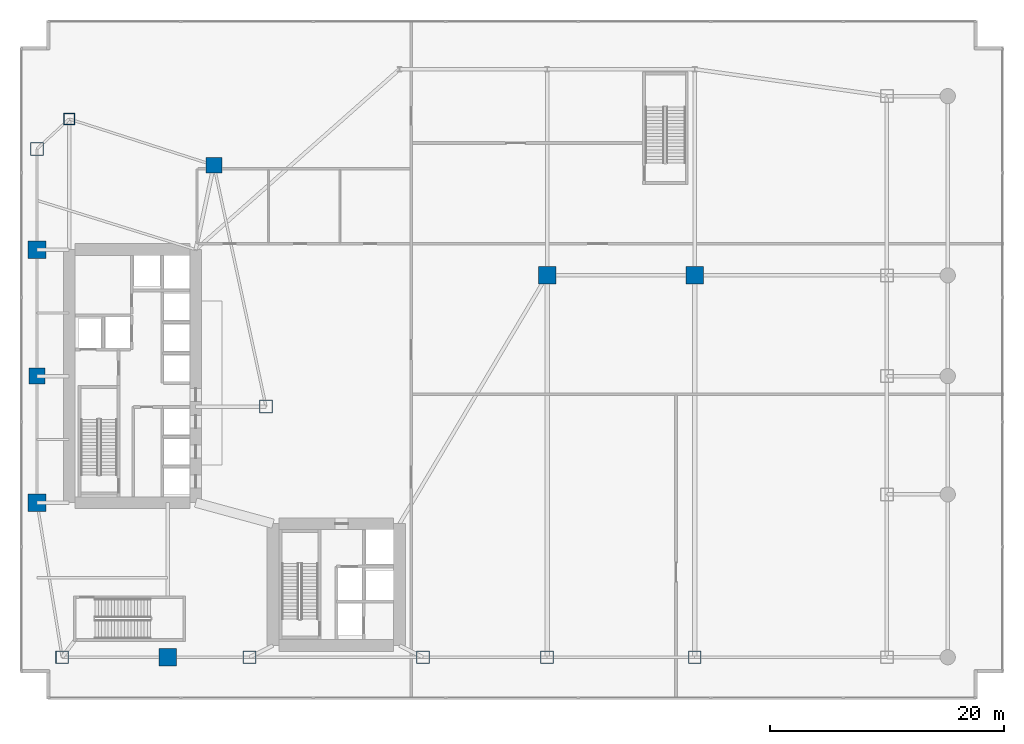
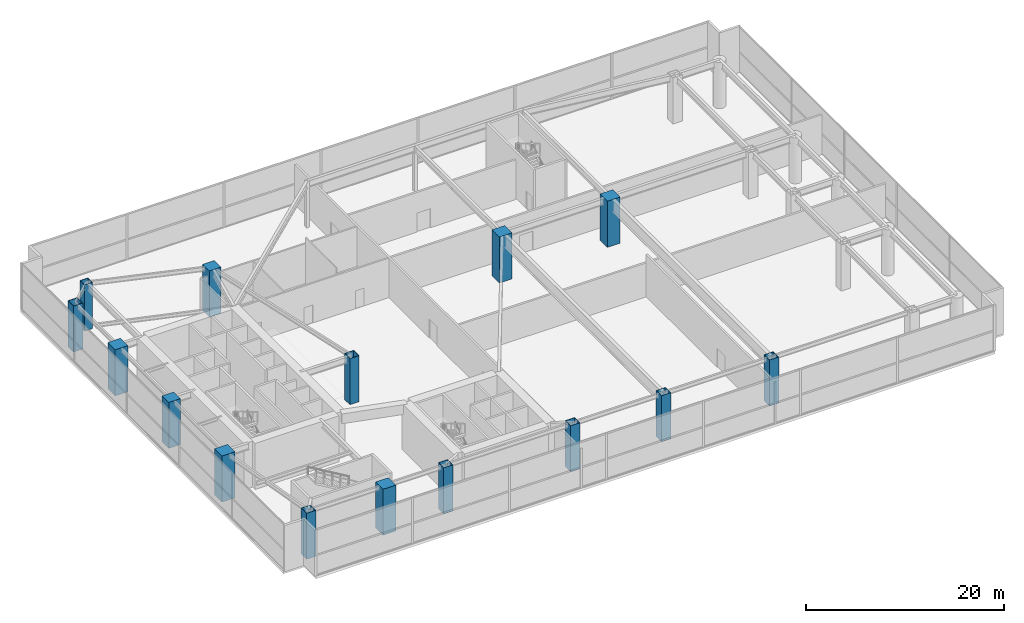
# One storey, part 1 of 35: 15 columns.
"""IFC4 building model written with IfcOpenShell, lengths in metres."""

import ifcopenshell
import ifcopenshell.guid

model = None  # the IFC model being written
_history = None  # IfcOwnerHistory: only IFC2X3 demands one
_inside = {}  # id of a spatial element -> (the spatial element, [elements in it])
_under = {}  # id of a project, library or spatial element -> (it, [spatial elements below it])
_declared = {}  # id of a project -> (the project, [libraries it declares])
_typed = {}  # id of a type object -> (the type object, [elements of that type])
_made_of = {}  # id of a material, layer set ... -> (it, [elements and type objects made of it])


def new_model(schema):
    """Start an empty IFC model of exactly this schema.

    Asked for "IFC4X3", IfcOpenShell would pick the latest addendum, in which some entities
    have other attributes; the version numbers below select the first issue.
    IFC2X3 requires an IfcOwnerHistory on every rooted entity: one is made here for all.
    """
    global model, _history
    if schema == "IFC4X3":
        model = ifcopenshell.file(schema_version=(4, 3, 0, 0))
    else:
        model = ifcopenshell.file(schema=schema)
    _inside.clear()
    _under.clear()
    _declared.clear()
    _typed.clear()
    _made_of.clear()
    _history = None
    if model.schema == "IFC2X3":
        org = make("IfcOrganization", Name="unknown")
        user = make(
            "IfcPersonAndOrganization",
            ThePerson=make("IfcPerson", FamilyName="unknown"),
            TheOrganization=org,
        )
        app = make(
            "IfcApplication",
            ApplicationDeveloper=org,
            Version="unknown",
            ApplicationFullName="unknown",
            ApplicationIdentifier="unknown",
        )
        _history = make(
            "IfcOwnerHistory",
            OwningUser=user,
            OwningApplication=app,
            ChangeAction="ADDED",
            CreationDate=0,
        )
    return model


def make(cls, **values):
    """One entity of the class cls with the attributes given. An attribute that is None is left unset."""
    return model.create_entity(
        cls, **{name: value for name, value in values.items() if value is not None}
    )


def rooted(cls, **values):
    """An entity with a GlobalId (a new one), such as an element, a storey or a relation."""
    return make(cls, GlobalId=ifcopenshell.guid.new(), OwnerHistory=_history, **values)


def si_unit(unit_type, name, prefix=None):
    """IfcSIUnit, for example si_unit("LENGTHUNIT", "METRE", prefix="MILLI")."""
    return make("IfcSIUnit", UnitType=unit_type, Prefix=prefix, Name=name)


def assignment(units):
    """IfcUnitAssignment: the units of a project."""
    return None if units is None else make("IfcUnitAssignment", Units=units)


def point(xyz):
    """IfcCartesianPoint."""
    return None if xyz is None else make("IfcCartesianPoint", Coordinates=xyz)


def direction(xyz):
    """IfcDirection."""
    return None if xyz is None else make("IfcDirection", DirectionRatios=xyz)


def frame(location, z_axis=None, x_axis=None):
    """IfcAxis2Placement3D, a coordinate frame: its origin and axes. An axis left out is left unset."""
    return make(
        "IfcAxis2Placement3D",
        Location=point(location),
        Axis=direction(z_axis),
        RefDirection=direction(x_axis),
    )


def frame_2d(location, x_axis=None):
    """IfcAxis2Placement2D, a coordinate frame in the plane: its origin and x axis."""
    return make(
        "IfcAxis2Placement2D", Location=point(location), RefDirection=direction(x_axis)
    )


def origin():
    """The frame at (0, 0, 0) with its axes left unset."""
    return frame((0.0, 0.0, 0.0))


def origin_2d():
    """The frame at (0, 0) in the plane with its x axis left unset."""
    return frame_2d((0.0, 0.0))


def place(relative_to, where):
    """IfcLocalPlacement: puts the frame where relative to a parent placement (None: the world)."""
    return make(
        "IfcLocalPlacement", PlacementRelTo=relative_to, RelativePlacement=where
    )


def context(
    kind, dimensions, precision=None, world=None, true_north=None, identifier=None
):
    """IfcGeometricRepresentationContext, for example the 3D "Model" context."""
    return make(
        "IfcGeometricRepresentationContext",
        ContextIdentifier=identifier,
        ContextType=kind,
        CoordinateSpaceDimension=dimensions,
        Precision=precision,
        WorldCoordinateSystem=world,
        TrueNorth=true_north,
    )


def subcontext(parent, identifier, kind, view, scale=None):
    """IfcGeometricRepresentationSubContext, for example "Body" below "Model"."""
    return make(
        "IfcGeometricRepresentationSubContext",
        ContextIdentifier=identifier,
        ContextType=kind,
        ParentContext=parent,
        TargetScale=scale,
        TargetView=view,
    )


def project(units=None, contexts=None):
    """IfcProject with its units and contexts."""
    return rooted(
        "IfcProject",
        Name="project",
        RepresentationContexts=contexts,
        UnitsInContext=assignment(units),
    )


def spatial(cls, under=None, at=None, **own):
    """A site, building, storey or space (cls), placed at a placement, below another one or the project."""
    s = rooted(cls, ObjectPlacement=at, **own)
    if under is not None:
        _under.setdefault(under.id(), (under, []))[1].append(s)
    return s


def profile(cls, at=None, kind="AREA", **sizes):
    """A parametric profile (cls). Its sizes go by their IFC names, for example OverallWidth=200.0."""
    return make(cls, ProfileType=kind, Position=at, **sizes)


def rectangle(**sizes):
    """IfcRectangleProfileDef."""
    return profile("IfcRectangleProfileDef", **sizes)


def hollow_rectangle(**sizes):
    """IfcRectangleHollowProfileDef."""
    return profile("IfcRectangleHollowProfileDef", **sizes)


def extrude(swept, where, along, depth):
    """IfcExtrudedAreaSolid: the profile swept, set in the frame where, extruded along a direction by depth."""
    return make(
        "IfcExtrudedAreaSolid",
        SweptArea=swept,
        Position=where,
        ExtrudedDirection=direction(along),
        Depth=depth,
    )


def shape(context_of_items, identifier, shape_type, items):
    """IfcShapeRepresentation: the items that make up one representation, for example the "Body"."""
    return make(
        "IfcShapeRepresentation",
        ContextOfItems=context_of_items,
        RepresentationIdentifier=identifier,
        RepresentationType=shape_type,
        Items=items,
    )


def material(Name=None, Category=None):
    """IfcMaterial."""
    return make("IfcMaterial", Name=Name, Category=Category)


def material_profile(
    of_material, cross_section, Name=None, Category=None, Priority=None
):
    """IfcMaterialProfile: a cross section and its material."""
    return make(
        "IfcMaterialProfile",
        Name=Name,
        Material=of_material,
        Profile=cross_section,
        Priority=Priority,
        Category=Category,
    )


def profile_set(profiles, Name=None, composite=None):
    """IfcMaterialProfileSet."""
    return make(
        "IfcMaterialProfileSet",
        Name=Name,
        MaterialProfiles=profiles,
        CompositeProfile=composite,
    )


def made_of(thing, what):
    """Note that an element or type object is made of a material, layer set ...; save() writes the relation."""
    if what is not None:
        _made_of.setdefault(what.id(), (what, []))[1].append(thing)
    return thing


def type_object(cls, material=None, **own):
    """A type object (cls), such as IfcWallType, which elements share."""
    return made_of(rooted(cls, **own), material)


def element(
    cls,
    number,
    at=None,
    inside=None,
    cuts=None,
    type_object=None,
    material=None,
    context=None,
    identifier="Body",
    shape_type=None,
    held_by="IfcProductDefinitionShape",
    body=None,
    shapes=None,
    **own,
):
    """One element of the class cls, such as IfcWall. Its Tag is "e" and its number.

    at: its placement. inside: the storey or other place that contains it. cuts: it is an
    opening in that element (IfcRelVoidsElement). A single representation is given by context,
    identifier, shape_type and body (its items); several are given by shapes. held_by: the class
    of the entity that holds the representations. save() writes the other relations.
    """
    e = rooted(cls, Tag="e%d" % number, ObjectPlacement=at, **own)
    if body is not None:
        shapes = [shape(context, identifier, shape_type, body)]
    if shapes is not None:
        e.Representation = make(held_by, Representations=shapes)
    if inside is not None:
        _inside.setdefault(inside.id(), (inside, []))[1].append(e)
    if cuts is not None:
        rooted(
            "IfcRelVoidsElement", RelatingBuildingElement=cuts, RelatedOpeningElement=e
        )
    if type_object is not None:
        _typed.setdefault(type_object.id(), (type_object, []))[1].append(e)
    return made_of(e, material)


def aggregate(whole, parts):
    """IfcRelAggregates: a whole, such as a stair, and the parts it consists of."""
    return rooted("IfcRelAggregates", RelatingObject=whole, RelatedObjects=parts)


def save(model, path):
    """Write the relations noted so far, then the file.

    IfcRelAggregates (storeys below a building ...), IfcRelContainedInSpatialStructure (elements
    in a storey), IfcRelDefinesByType, IfcRelAssociatesMaterial and IfcRelDeclares: one each for
    every whole, place, type object, material and project.
    """
    for whole, parts in _under.values():
        aggregate(whole, parts)
    for where, things in _inside.values():
        rooted(
            "IfcRelContainedInSpatialStructure",
            RelatedElements=things,
            RelatingStructure=where,
        )
    for kind, things in _typed.values():
        rooted("IfcRelDefinesByType", RelatedObjects=things, RelatingType=kind)
    for what, things in _made_of.values():
        rooted("IfcRelAssociatesMaterial", RelatedObjects=things, RelatingMaterial=what)
    for by, libraries in _declared.values():
        rooted("IfcRelDeclares", RelatingContext=by, RelatedDefinitions=libraries)
    model.write(path)


model = new_model("IFC4")

# Units and contexts
model_context = context("Model", 3, precision=1e-05, world=origin(), true_north=direction((0.0, 1.0)))
body_context = subcontext(model_context, "Body", "Model", "MODEL_VIEW")
ifc_project = project(units=[si_unit("LENGTHUNIT", "METRE"), si_unit("AREAUNIT", "SQUARE_METRE"), si_unit("VOLUMEUNIT", "CUBIC_METRE"), si_unit("PLANEANGLEUNIT", "RADIAN"), si_unit("MASSUNIT", "GRAM", prefix="KILO")], contexts=[model_context])

# Site, building, storey
site_placement = place(None, origin())
site = spatial("IfcSite", under=ifc_project, at=site_placement, CompositionType="ELEMENT")
building_placement = place(site_placement, origin())
building = spatial("IfcBuilding", under=site, at=building_placement, Name="Calvorn Quay Hotel", CompositionType="ELEMENT")
storey_placement = place(building_placement, frame((0.0, 0.0, 6.0)))
storey = spatial("IfcBuildingStorey", under=building, at=storey_placement, Name="L01", CompositionType="ELEMENT", Elevation=6.0)

# Columns
ifc_material_1 = material(Name="Concrete C60", Category="concrete")
ifc_material_profile_1 = material_profile(ifc_material_1, rectangle(XDim=1.35009765625, YDim=1.35009765625, at=origin_2d()), Name="RC1350x1350")
ifc_profile_set_1 = profile_set([ifc_material_profile_1], Name="Concrete C60")
column_type_1 = type_object("IfcColumnType", Name="COL-RC-1350", PredefinedType="COLUMN", material=ifc_profile_set_1)
for number, where, z_axis, x_axis, name in (
    (1, (1.449951171875, 27.60009765625, 0.0), (0.0, 0.0, 1.0), (1.0, 0.0, 0.0), "Column C-W3 (L01)"),
    (2, (16.550048828125, 45.60009765625, 0.0), (0.0, 0.0, 1.0), (1.0, 0.0, 0.0), "Column C-IC1 (L01)"),
):
    element("IfcColumn", number, at=place(storey_placement, frame(where, z_axis=z_axis, x_axis=x_axis)), inside=storey, type_object=column_type_1, Name=name, PredefinedType="COLUMN", context=body_context, shape_type="SweptSolid", body=[
        extrude(rectangle(XDim=1.35009765625, YDim=1.35009765625, at=origin_2d()), origin(), (0.0, 0.0, 1.0), 5.679931640625),
    ])
ifc_material_2 = material(Name="Concrete C60", Category="concrete")
ifc_material_profile_2 = material_profile(ifc_material_2, rectangle(XDim=1.5, YDim=1.5, at=origin_2d()), Name="RC1500x1500")
ifc_profile_set_2 = profile_set([ifc_material_profile_2], Name="Concrete C60")
column_type_2 = type_object("IfcColumnType", Name="COL-RC-1500", PredefinedType="COLUMN", material=ifc_profile_set_2)
for number, where, z_axis, x_axis, name in (
    (3, (1.449951171875, 16.800048828125, 0.0), (0.0, 0.0, 1.0), (1.0, 0.0, 0.0), "Column C-W2 (L01)"),
    (4, (1.449951171875, 38.39990234375, 0.0), (0.0, 0.0, 1.0), (1.0, 0.0, 0.0), "Column C-W4 (L01)"),
    (5, (12.60009765625, 3.60009765625, 0.0), (0.0, 0.0, 1.0), (1.0, 0.0, 0.0), "Column C-S1 (L01)"),
    (6, (45.0, 36.199951171875, 0.0), (0.0, 0.0, 1.0), (1.0, 0.0, 0.0), "Column C-PN1 (L01)"),
    (7, (57.60009765625, 36.199951171875, 0.0), (0.0, 0.0, 1.0), (1.0, 0.0, 0.0), "Column C-PN2 (L01)"),
):
    element("IfcColumn", number, at=place(storey_placement, frame(where, z_axis=z_axis, x_axis=x_axis)), inside=storey, type_object=column_type_2, Name=name, PredefinedType="COLUMN", context=body_context, shape_type="SweptSolid", body=[
        extrude(rectangle(XDim=1.5, YDim=1.5, at=origin_2d()), origin(), (0.0, 0.0, 1.0), 5.679931640625),
    ])
ifc_material_3 = material(Name="Steel Q420GJC", Category="steel")
ifc_material_profile_3 = material_profile(ifc_material_3, hollow_rectangle(XDim=1.10009765625, YDim=1.10009765625, WallThickness=0.044921875, at=origin_2d()), Name="BOX1100x1100x45")
ifc_profile_set_3 = profile_set([ifc_material_profile_3], Name="Steel Q420GJC")
column_type_3 = type_object("IfcColumnType", Name="COL-STL-MEGA1", PredefinedType="COLUMN", material=ifc_profile_set_3)
for number, where, z_axis, x_axis, name in (
    (8, (3.60009765625, 3.60009765625, 0.0), (0.0, 0.0, 1.0), (1.0, 0.0, 0.0), "Column C-W1 (L01)"),
    (9, (1.449951171875, 47.0, 0.0), (0.0, 0.0, 1.0), (1.0, 0.0, 0.0), "Column C-W5 (L01)"),
    (10, (21.0, 25.0, 0.0), (0.0, 0.0, 1.0), (1.0, 0.0, 0.0), "Column C-IC2 (L01)"),
    (11, (19.60009765625, 3.60009765625, 0.0), (0.0, 0.0, 1.0), (1.0, 0.0, 0.0), "Column C-S2 (L01)"),
    (12, (34.39990234375, 3.60009765625, 0.0), (0.0, 0.0, 1.0), (1.0, 0.0, 0.0), "Column C-S3 (L01)"),
    (13, (45.0, 3.60009765625, 0.0), (0.0, 0.0, 1.0), (1.0, 0.0, 0.0), "Column C-PS4 (L01)"),
    (14, (57.60009765625, 3.60009765625, 0.0), (0.0, 0.0, 1.0), (1.0, 0.0, 0.0), "Column C-PS5 (L01)"),
):
    element("IfcColumn", number, at=place(storey_placement, frame(where, z_axis=z_axis, x_axis=x_axis)), inside=storey, type_object=column_type_3, Name=name, PredefinedType="COLUMN", context=body_context, shape_type="SweptSolid", body=[
        extrude(hollow_rectangle(XDim=1.10009765625, YDim=1.10009765625, WallThickness=0.044921875, at=origin_2d()), origin(), (0.0, 0.0, 1.0), 5.679931640625),
    ])
ifc_material_4 = material(Name="Steel Q420GJC", Category="steel")
ifc_material_profile_4 = material_profile(ifc_material_4, hollow_rectangle(XDim=0.949951171875, YDim=0.949951171875, WallThickness=0.0400390625, at=origin_2d()), Name="BOX950x950x40")
ifc_profile_set_4 = profile_set([ifc_material_profile_4], Name="Steel Q420GJC")
column_type_4 = type_object("IfcColumnType", Name="COL-STL-MEGA2", PredefinedType="COLUMN", material=ifc_profile_set_4)
column_placement = place(storey_placement, frame((4.199951171875, 49.550048828125, 0.0), z_axis=(0.0, 0.0, 1.0), x_axis=(1.0, 0.0, 0.0)))
element("IfcColumn", 15, at=column_placement, inside=storey, type_object=column_type_4, Name="Column C-NW1 (L01)", PredefinedType="COLUMN", context=body_context, shape_type="SweptSolid", body=[
    extrude(hollow_rectangle(XDim=0.949951171875, YDim=0.949951171875, WallThickness=0.0400390625, at=origin_2d()), origin(), (0.0, 0.0, 1.0), 5.679931640625),
])

save(model, "model.ifc")
